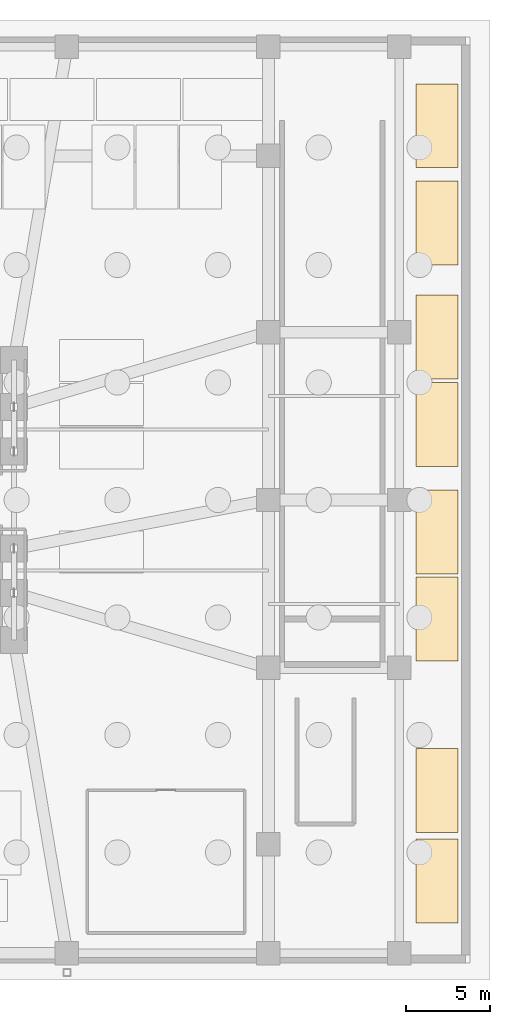
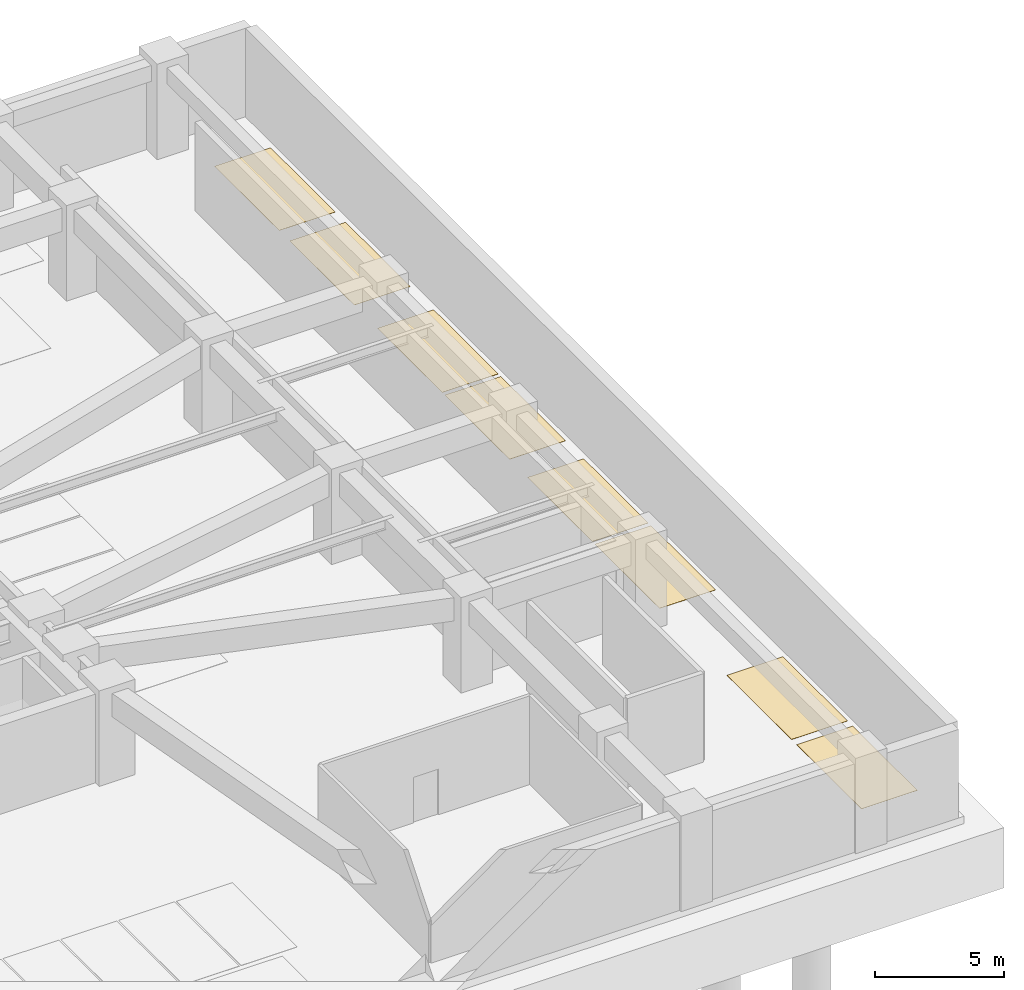
# One storey, part 13 of 14: 8 coverings.
"""IFC4 building model written with IfcOpenShell, lengths in metres."""

from ifc_helpers import new_model, si_unit, direction, frame, origin, place, context, subcontext, project, spatial, polyline, outline, extrude, material, layer, layer_set, type_object, element, save


model = new_model("IFC4")

# Units and contexts
model_context = context("Model", 3, precision=1e-05, world=origin(), true_north=direction((0.0, 1.0)))
body_context = subcontext(model_context, "Body", "Model", "MODEL_VIEW")
ifc_project = project(units=[si_unit("LENGTHUNIT", "METRE"), si_unit("AREAUNIT", "SQUARE_METRE"), si_unit("VOLUMEUNIT", "CUBIC_METRE"), si_unit("PLANEANGLEUNIT", "RADIAN"), si_unit("MASSUNIT", "GRAM", prefix="KILO")], contexts=[model_context])

# Site, building, storey
site_placement = place(None, origin())
site = spatial("IfcSite", under=ifc_project, at=site_placement, CompositionType="ELEMENT")
building_placement = place(site_placement, origin())
building = spatial("IfcBuilding", under=site, at=building_placement, Name="Solmarez Civic Tower", CompositionType="ELEMENT")
storey_placement = place(building_placement, frame((0.0, 0.0, -9.0)))
storey = spatial("IfcBuildingStorey", under=building, at=storey_placement, Name="B2", CompositionType="ELEMENT", Elevation=-9.0)

# Coverings
ifc_material = material(Name="Epoxy Traffic Deck Coating")
ifc_layer = layer(ifc_material, 0.010009765625)
ifc_layer_set = layer_set([ifc_layer], Name="Epoxy Traffic Deck Coating")
covering_type = type_object("IfcCoveringType", Name="COV-PARK-BAY", PredefinedType="FLOORING", material=ifc_layer_set)
covering_1_placement = place(storey_placement, origin())
element("IfcCovering", 1, at=covering_1_placement, inside=storey, type_object=covering_type, Name="B2 Parking Bay Marking 032", PredefinedType="FLOORING", context=body_context, shape_type="SweptSolid", body=[
    extrude(outline(polyline([(32.800048828125, -25.199951171875), (35.300048828125, -25.199951171875), (35.300048828125, -20.199951171875), (32.800048828125, -20.199951171875), (32.800048828125, -25.199951171875)])), origin(), (0.0, 0.0, 1.0), 0.010009765625),
])
covering_2_placement = place(storey_placement, origin())
element("IfcCovering", 2, at=covering_2_placement, inside=storey, type_object=covering_type, Name="B2 Parking Bay Marking 033", PredefinedType="FLOORING", context=body_context, shape_type="SweptSolid", body=[
    extrude(outline(polyline([(32.800048828125, -19.800048828125), (35.300048828125, -19.800048828125), (35.300048828125, -14.800048828125), (32.800048828125, -14.800048828125), (32.800048828125, -19.800048828125)])), origin(), (0.0, 0.0, 1.0), 0.010009765625),
])
covering_3_placement = place(storey_placement, origin())
element("IfcCovering", 3, at=covering_3_placement, inside=storey, type_object=covering_type, Name="B2 Parking Bay Marking 034", PredefinedType="FLOORING", context=body_context, shape_type="SweptSolid", body=[
    extrude(outline(polyline([(32.800048828125, -9.60009765625), (35.300048828125, -9.60009765625), (35.300048828125, -4.60009765625), (32.800048828125, -4.60009765625), (32.800048828125, -9.60009765625)])), origin(), (0.0, 0.0, 1.0), 0.010009765625),
])
covering_4_placement = place(storey_placement, origin())
element("IfcCovering", 4, at=covering_4_placement, inside=storey, type_object=covering_type, Name="B2 Parking Bay Marking 035", PredefinedType="FLOORING", context=body_context, shape_type="SweptSolid", body=[
    extrude(outline(polyline([(32.800048828125, -4.39990234375), (35.300048828125, -4.39990234375), (35.300048828125, 0.60009765625), (32.800048828125, 0.60009765625), (32.800048828125, -4.39990234375)])), origin(), (0.0, 0.0, 1.0), 0.010009765625),
])
covering_5_placement = place(storey_placement, origin())
element("IfcCovering", 5, at=covering_5_placement, inside=storey, type_object=covering_type, Name="B2 Parking Bay Marking 036", PredefinedType="FLOORING", context=body_context, shape_type="SweptSolid", body=[
    extrude(outline(polyline([(32.800048828125, 2.0), (35.300048828125, 2.0), (35.300048828125, 7.0), (32.800048828125, 7.0), (32.800048828125, 2.0)])), origin(), (0.0, 0.0, 1.0), 0.010009765625),
])
covering_6_placement = place(storey_placement, origin())
element("IfcCovering", 6, at=covering_6_placement, inside=storey, type_object=covering_type, Name="B2 Parking Bay Marking 037", PredefinedType="FLOORING", context=body_context, shape_type="SweptSolid", body=[
    extrude(outline(polyline([(32.800048828125, 7.199951171875), (35.300048828125, 7.199951171875), (35.300048828125, 12.199951171875), (32.800048828125, 12.199951171875), (32.800048828125, 7.199951171875)])), origin(), (0.0, 0.0, 1.0), 0.010009765625),
])
covering_7_placement = place(storey_placement, origin())
element("IfcCovering", 7, at=covering_7_placement, inside=storey, type_object=covering_type, Name="B2 Parking Bay Marking 038", PredefinedType="FLOORING", context=body_context, shape_type="SweptSolid", body=[
    extrude(outline(polyline([(32.800048828125, 14.0), (35.300048828125, 14.0), (35.300048828125, 19.0), (32.800048828125, 19.0), (32.800048828125, 14.0)])), origin(), (0.0, 0.0, 1.0), 0.010009765625),
])
covering_8_placement = place(storey_placement, origin())
element("IfcCovering", 8, at=covering_8_placement, inside=storey, type_object=covering_type, Name="B2 Parking Bay Marking 039", PredefinedType="FLOORING", context=body_context, shape_type="SweptSolid", body=[
    extrude(outline(polyline([(32.800048828125, 19.800048828125), (35.300048828125, 19.800048828125), (35.300048828125, 24.800048828125), (32.800048828125, 24.800048828125), (32.800048828125, 19.800048828125)])), origin(), (0.0, 0.0, 1.0), 0.010009765625),
])

save(model, "model.ifc")
